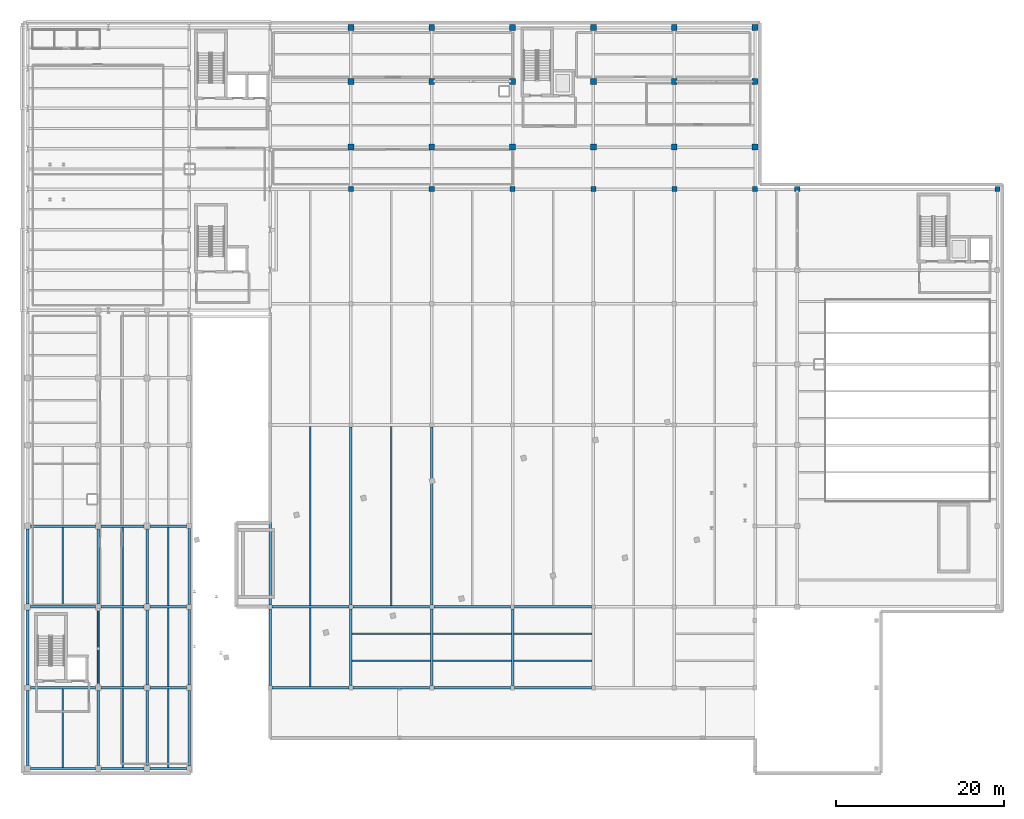
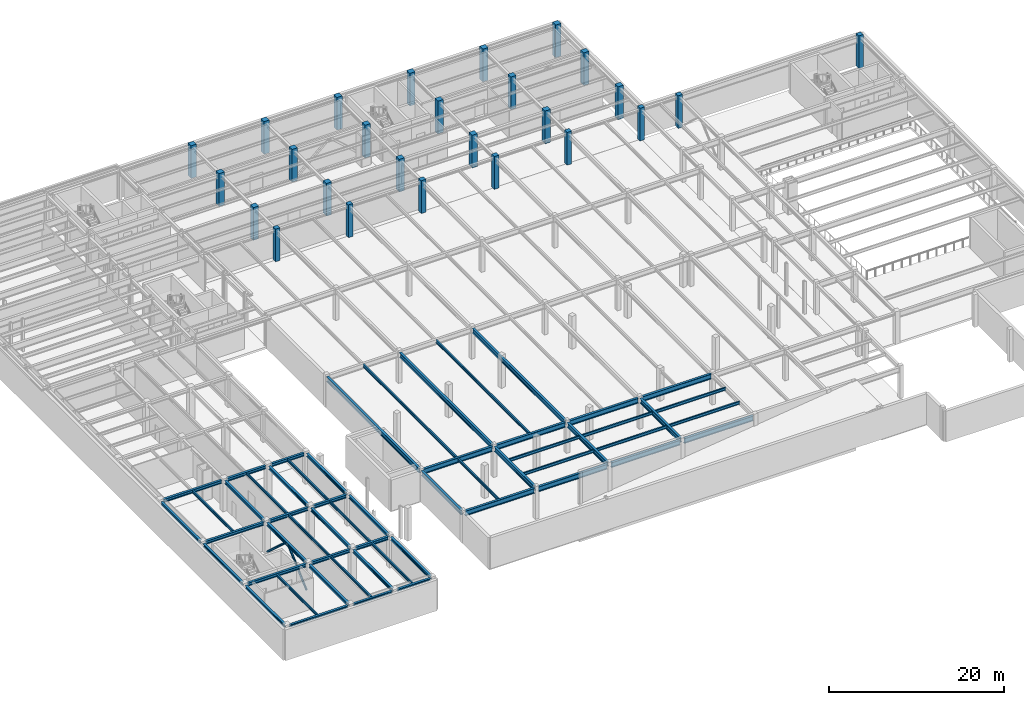
# One storey, part 10 of 32: 56 beams, 26 columns, 2 members.
"""IFC4 building model written with IfcOpenShell, lengths in metres."""

from ifc_helpers import new_model, si_unit, direction, frame, origin, origin_2d, place, context, subcontext, project, spatial, rectangle, hollow_circle, i_section, extrude, material, material_profile, profile_set, type_object, element, save


model = new_model("IFC4")

# Units and contexts
model_context = context("Model", 3, precision=1e-05, world=origin(), true_north=direction((0.0, 1.0)))
body_context = subcontext(model_context, "Body", "Model", "MODEL_VIEW")
ifc_project = project(units=[si_unit("LENGTHUNIT", "METRE"), si_unit("AREAUNIT", "SQUARE_METRE"), si_unit("VOLUMEUNIT", "CUBIC_METRE"), si_unit("PLANEANGLEUNIT", "RADIAN"), si_unit("MASSUNIT", "GRAM", prefix="KILO")], contexts=[model_context])

# Site, building, storey
site_placement = place(None, origin())
site = spatial("IfcSite", under=ifc_project, at=site_placement, CompositionType="ELEMENT")
building_placement = place(site_placement, origin())
building = spatial("IfcBuilding", under=site, at=building_placement, Name="Nordkorset Police Headquarters", CompositionType="ELEMENT")
storey_placement = place(building_placement, frame((0.0, 0.0, -4.550048828125)))
storey = spatial("IfcBuildingStorey", under=building, at=storey_placement, Name="B01", CompositionType="ELEMENT", Elevation=-4.550048828125)

# Columns
ifc_material_1 = material(Name="Concrete C45/55", Category="concrete")
ifc_material_profile_1 = material_profile(ifc_material_1, rectangle(XDim=0.60009765625, YDim=0.60009765625, at=origin_2d()), Name="RC 600x600")
ifc_profile_set_1 = profile_set([ifc_material_profile_1], Name="Concrete C45/55")
column_type_1 = type_object("IfcColumnType", Name="Col_RC_600x600", PredefinedType="COLUMN", material=ifc_profile_set_1)
for number, where, z_axis, x_axis, name in (
    (1, (38.39990234375, 97.60009765625, 0.0), (0.0, 0.0, 1.0), (1.0, 0.0, 0.0), "Structural Column V2_Y0_0 B01"),
    (2, (48.0, 97.60009765625, 0.0), (0.0, 0.0, 1.0), (1.0, 0.0, 0.0), "Structural Column V2_Y0_1 B01"),
    (3, (57.60009765625, 97.60009765625, 0.0), (0.0, 0.0, 1.0), (1.0, 0.0, 0.0), "Structural Column V2_Y0_2 B01"),
    (4, (67.199951171875, 97.60009765625, 0.0), (0.0, 0.0, 1.0), (1.0, 0.0, 0.0), "Structural Column V2_Y0_3 B01"),
    (5, (76.800048828125, 97.60009765625, 0.0), (0.0, 0.0, 1.0), (1.0, 0.0, 0.0), "Structural Column V2_Y0_4 B01"),
    (6, (86.39990234375, 97.60009765625, 0.0), (0.0, 0.0, 1.0), (1.0, 0.0, 0.0), "Structural Column V2_Y0_5 B01"),
    (7, (91.39990234375, 97.60009765625, 0.0), (0.0, 0.0, 1.0), (1.0, 0.0, 0.0), "Structural Column V5_X1_5 B01"),
    (8, (115.199951171875, 97.60009765625, 0.0), (0.0, 0.0, 1.0), (1.0, 0.0, 0.0), "Structural Column V5_X2_5 B01"),
):
    element("IfcColumn", number, at=place(storey_placement, frame(where, z_axis=z_axis, x_axis=x_axis)), inside=storey, type_object=column_type_1, Name=name, PredefinedType="COLUMN", context=body_context, shape_type="SweptSolid", body=[
        extrude(rectangle(XDim=0.60009765625, YDim=0.60009765625, at=origin_2d()), origin(), (0.0, 0.0, 1.0), 4.550048828125),
    ])
ifc_material_2 = material(Name="Concrete C45/55", Category="concrete")
ifc_material_profile_2 = material_profile(ifc_material_2, rectangle(XDim=0.699951171875, YDim=0.699951171875, at=origin_2d()), Name="RC 700x700")
ifc_profile_set_2 = profile_set([ifc_material_profile_2], Name="Concrete C45/55")
column_type_2 = type_object("IfcColumnType", Name="Col_RC_700x700", PredefinedType="COLUMN", material=ifc_profile_set_2)
for number, where, z_axis, x_axis, name in (
    (9, (38.39990234375, 102.60009765625, 0.0), (0.0, 0.0, 1.0), (1.0, 0.0, 0.0), "Structural Column V2_Y1_0 B01"),
    (10, (38.39990234375, 110.39990234375, 0.0), (0.0, 0.0, 1.0), (1.0, 0.0, 0.0), "Structural Column V2_Y2_0 B01"),
    (11, (38.39990234375, 116.800048828125, 0.0), (0.0, 0.0, 1.0), (1.0, 0.0, 0.0), "Structural Column V2_Y3_0 B01"),
    (12, (48.0, 102.60009765625, 0.0), (0.0, 0.0, 1.0), (1.0, 0.0, 0.0), "Structural Column V2_Y1_1 B01"),
    (13, (48.0, 110.39990234375, 0.0), (0.0, 0.0, 1.0), (1.0, 0.0, 0.0), "Structural Column V2_Y2_1 B01"),
    (14, (48.0, 116.800048828125, 0.0), (0.0, 0.0, 1.0), (1.0, 0.0, 0.0), "Structural Column V2_Y3_1 B01"),
    (15, (57.60009765625, 102.60009765625, 0.0), (0.0, 0.0, 1.0), (1.0, 0.0, 0.0), "Structural Column V2_Y1_2 B01"),
    (16, (57.60009765625, 110.39990234375, 0.0), (0.0, 0.0, 1.0), (1.0, 0.0, 0.0), "Structural Column V2_Y2_2 B01"),
    (17, (57.60009765625, 116.800048828125, 0.0), (0.0, 0.0, 1.0), (1.0, 0.0, 0.0), "Structural Column V2_Y3_2 B01"),
    (18, (67.199951171875, 102.60009765625, 0.0), (0.0, 0.0, 1.0), (1.0, 0.0, 0.0), "Structural Column V2_Y1_3 B01"),
    (19, (67.199951171875, 110.39990234375, 0.0), (0.0, 0.0, 1.0), (1.0, 0.0, 0.0), "Structural Column V2_Y2_3 B01"),
    (20, (67.199951171875, 116.800048828125, 0.0), (0.0, 0.0, 1.0), (1.0, 0.0, 0.0), "Structural Column V2_Y3_3 B01"),
    (21, (76.800048828125, 102.60009765625, 0.0), (0.0, 0.0, 1.0), (1.0, 0.0, 0.0), "Structural Column V2_Y1_4 B01"),
    (22, (76.800048828125, 110.39990234375, 0.0), (0.0, 0.0, 1.0), (1.0, 0.0, 0.0), "Structural Column V2_Y2_4 B01"),
    (23, (76.800048828125, 116.800048828125, 0.0), (0.0, 0.0, 1.0), (1.0, 0.0, 0.0), "Structural Column V2_Y3_4 B01"),
    (24, (86.39990234375, 102.60009765625, 0.0), (0.0, 0.0, 1.0), (1.0, 0.0, 0.0), "Structural Column V2_Y1_5 B01"),
    (25, (86.39990234375, 110.39990234375, 0.0), (0.0, 0.0, 1.0), (1.0, 0.0, 0.0), "Structural Column V2_Y2_5 B01"),
    (26, (86.39990234375, 116.800048828125, 0.0), (0.0, 0.0, 1.0), (1.0, 0.0, 0.0), "Structural Column V2_Y3_5 B01"),
):
    element("IfcColumn", number, at=place(storey_placement, frame(where, z_axis=z_axis, x_axis=x_axis)), inside=storey, type_object=column_type_2, Name=name, PredefinedType="COLUMN", context=body_context, shape_type="SweptSolid", body=[
        extrude(rectangle(XDim=0.699951171875, YDim=0.699951171875, at=origin_2d()), origin(), (0.0, 0.0, 1.0), 4.550048828125),
    ])

# Beams
ifc_material_3 = material(Name="Steel S355J2", Category="steel")
ifc_material_profile_3 = material_profile(ifc_material_3, i_section(OverallWidth=0.169921875, OverallDepth=0.360107421875, WebThickness=0.008056640625, FlangeThickness=0.0126953125, FilletRadius=0.01806640625, at=origin_2d()), Name="IPE 360")
ifc_profile_set_3 = profile_set([ifc_material_profile_3], Name="Steel S355J2")
beam_type_1 = type_object("IfcBeamType", Name="Beam_IPE_360", PredefinedType="BEAM", material=ifc_profile_set_3)
for number, where, z_axis, x_axis, name in (
    (27, (4.199951171875, 28.949951171875, 4.10009765625), (0.0, 1.0, 0.0), (-1.0, 0.0, 0.0), "Composite Floor Beam V3 B01 0-0-1"),
    (28, (4.199951171875, 48.14990234375, 4.10009765625), (0.0, 1.0, 0.0), (-1.0, 0.0, 0.0), "Composite Floor Beam V3 B01 0-2-1"),
    (29, (11.300048828125, 28.949951171875, 4.10009765625), (0.0, 1.0, 0.0), (-1.0, 0.0, 0.0), "Composite Floor Beam V3 B01 1-0-1"),
    (30, (11.300048828125, 38.550048828125, 4.10009765625), (0.0, 1.0, 0.0), (-1.0, 0.0, 0.0), "Composite Floor Beam V3 B01 1-1-1"),
    (31, (11.300048828125, 48.14990234375, 4.10009765625), (0.0, 1.0, 0.0), (-1.0, 0.0, 0.0), "Composite Floor Beam V3 B01 1-2-1"),
    (32, (16.699951171875, 28.949951171875, 4.10009765625), (0.0, 1.0, 0.0), (-1.0, 0.0, 0.0), "Composite Floor Beam V3 B01 2-0-1"),
    (33, (16.699951171875, 38.550048828125, 4.10009765625), (0.0, 1.0, 0.0), (-1.0, 0.0, 0.0), "Composite Floor Beam V3 B01 2-1-1"),
    (34, (16.699951171875, 48.14990234375, 4.10009765625), (0.0, 1.0, 0.0), (-1.0, 0.0, 0.0), "Composite Floor Beam V3 B01 2-2-1"),
):
    element("IfcBeam", number, at=place(storey_placement, frame(where, z_axis=z_axis, x_axis=x_axis)), inside=storey, type_object=beam_type_1, Name=name, PredefinedType="BEAM", context=body_context, shape_type="SweptSolid", body=[
        extrude(i_section(OverallWidth=0.169921875, OverallDepth=0.360107421875, WebThickness=0.008056640625, FlangeThickness=0.0126953125, FilletRadius=0.01806640625, at=origin_2d()), origin(), (0.0, 0.0, 1.0), 9.300048828125),
    ])
ifc_material_4 = material(Name="Steel S355J2", Category="steel")
ifc_material_profile_4 = material_profile(ifc_material_4, i_section(OverallWidth=0.179931640625, OverallDepth=0.39990234375, WebThickness=0.008544921875, FlangeThickness=0.013427734375, FilletRadius=0.02099609375, at=origin_2d()), Name="IPE 400")
ifc_profile_set_4 = profile_set([ifc_material_profile_4], Name="Steel S355J2")
beam_type_2 = type_object("IfcBeamType", Name="Beam_IPE_400", PredefinedType="BEAM", material=ifc_profile_set_4)
beam_1_placement = place(storey_placement, frame((33.60009765625, 38.550048828125, 4.080078125), z_axis=(0.0, 1.0, 0.0), x_axis=(-1.0, 0.0, 0.0)))
element("IfcBeam", 35, at=beam_1_placement, inside=storey, type_object=beam_type_2, Name="Composite Floor Beam SUB B01 0-0-1", PredefinedType="BEAM", context=body_context, shape_type="SweptSolid", body=[
    extrude(i_section(OverallWidth=0.179931640625, OverallDepth=0.39990234375, WebThickness=0.008544921875, FlangeThickness=0.013427734375, FilletRadius=0.02099609375, at=origin_2d()), origin(), (0.0, 0.0, 1.0), 9.300048828125),
])
beam_2_placement = place(storey_placement, frame((33.60009765625, 48.14990234375, 4.080078125), z_axis=(0.0, 1.0, 0.0), x_axis=(-1.0, 0.0, 0.0)))
element("IfcBeam", 36, at=beam_2_placement, inside=storey, type_object=beam_type_2, Name="Composite Floor Beam SUB B01 0-1-1", PredefinedType="BEAM", context=body_context, shape_type="SweptSolid", body=[
    extrude(i_section(OverallWidth=0.179931640625, OverallDepth=0.39990234375, WebThickness=0.008544921875, FlangeThickness=0.013427734375, FilletRadius=0.02099609375, at=origin_2d()), origin(), (0.0, 0.0, 1.0), 21.300048828125),
])
for number, where, z_axis, x_axis, name in (
    (37, (38.550048828125, 41.60009765625, 4.080078125), (1.0, 0.0, 0.0), (0.0, 1.0, 0.0), "Composite Floor Beam SUB B01 1-0-1"),
    (38, (38.550048828125, 44.800048828125, 4.080078125), (1.0, 0.0, 0.0), (0.0, 1.0, 0.0), "Composite Floor Beam SUB B01 1-0-2"),
):
    element("IfcBeam", number, at=place(storey_placement, frame(where, z_axis=z_axis, x_axis=x_axis)), inside=storey, type_object=beam_type_2, Name=name, PredefinedType="BEAM", context=body_context, shape_type="SweptSolid", body=[
        extrude(i_section(OverallWidth=0.179931640625, OverallDepth=0.39990234375, WebThickness=0.008544921875, FlangeThickness=0.013427734375, FilletRadius=0.02099609375, at=origin_2d()), origin(), (0.0, 0.0, 1.0), 9.300048828125),
    ])
beam_3_placement = place(storey_placement, frame((43.199951171875, 48.14990234375, 4.080078125), z_axis=(0.0, 1.0, 0.0), x_axis=(-1.0, 0.0, 0.0)))
element("IfcBeam", 39, at=beam_3_placement, inside=storey, type_object=beam_type_2, Name="Composite Floor Beam SUB B01 1-1-1", PredefinedType="BEAM", context=body_context, shape_type="SweptSolid", body=[
    extrude(i_section(OverallWidth=0.179931640625, OverallDepth=0.39990234375, WebThickness=0.008544921875, FlangeThickness=0.013427734375, FilletRadius=0.02099609375, at=origin_2d()), origin(), (0.0, 0.0, 1.0), 21.300048828125),
])
for number, where, z_axis, x_axis, name in (
    (40, (48.14990234375, 41.60009765625, 4.080078125), (1.0, 0.0, 0.0), (0.0, 1.0, 0.0), "Composite Floor Beam SUB B01 2-0-1"),
    (41, (48.14990234375, 44.800048828125, 4.080078125), (1.0, 0.0, 0.0), (0.0, 1.0, 0.0), "Composite Floor Beam SUB B01 2-0-2"),
    (42, (57.75, 41.60009765625, 4.080078125), (1.0, 0.0, 0.0), (0.0, 1.0, 0.0), "Composite Floor Beam SUB B01 3-0-1"),
    (43, (57.75, 44.800048828125, 4.080078125), (1.0, 0.0, 0.0), (0.0, 1.0, 0.0), "Composite Floor Beam SUB B01 3-0-2"),
):
    element("IfcBeam", number, at=place(storey_placement, frame(where, z_axis=z_axis, x_axis=x_axis)), inside=storey, type_object=beam_type_2, Name=name, PredefinedType="BEAM", context=body_context, shape_type="SweptSolid", body=[
        extrude(i_section(OverallWidth=0.179931640625, OverallDepth=0.39990234375, WebThickness=0.008544921875, FlangeThickness=0.013427734375, FilletRadius=0.02099609375, at=origin_2d()), origin(), (0.0, 0.0, 1.0), 9.300048828125),
    ])

# Members
ifc_material_5 = material(Name="Steel S355J2", Category="steel")
ifc_material_profile_5 = material_profile(ifc_material_5, hollow_circle(Radius=0.136474609375, WallThickness=0.012451171875, at=origin_2d()), Name="CHS 273x12.5")
ifc_profile_set_5 = profile_set([ifc_material_profile_5], Name="Steel S355J2")
member_type = type_object("IfcMemberType", Name="Brace_CHS_273x12.5", PredefinedType="BRACE", material=ifc_profile_set_5)
for number, where, z_axis, x_axis, name in (
    (44, (8.39990234375, 38.75, 0.199951171875), (0.0, 0.741816057478, 0.670603412509), (-1.0, 0.0, 0.0), "Lateral Chevron Brace BF-V3-A B01 D1"),
    (45, (8.39990234375, 47.64990234375, 0.199951171875), (0.0, -0.741816057478, 0.670603412509), (1.0, 0.0, 0.0), "Lateral Chevron Brace BF-V3-A B01 D2"),
):
    element("IfcMember", number, at=place(storey_placement, frame(where, z_axis=z_axis, x_axis=x_axis)), inside=storey, type_object=member_type, Name=name, PredefinedType="BRACE", context=body_context, shape_type="SweptSolid", body=[
        extrude(hollow_circle(Radius=0.136474609375, WallThickness=0.012451171875, at=origin_2d()), origin(), (0.0, 0.0, 1.0), 5.756103515625),
    ])

# Beams
ifc_material_6 = material(Name="Steel S355J2", Category="steel")
ifc_material_profile_6 = material_profile(ifc_material_6, i_section(OverallWidth=0.300048828125, OverallDepth=0.43994140625, WebThickness=0.011474609375, FlangeThickness=0.02099609375, FilletRadius=0.027099609375, at=origin_2d()), Name="HEA 450")
ifc_profile_set_6 = profile_set([ifc_material_profile_6], Name="Steel S355J2")
beam_type_3 = type_object("IfcBeamType", Name="Girder_HEA_450", PredefinedType="USERDEFINED", material=ifc_profile_set_6)
beam_4_placement = place(storey_placement, frame((0.35009765625, 38.39990234375, 4.06005859375), z_axis=(1.0, 0.0, 0.0), x_axis=(0.0, 1.0, 0.0)))
element("IfcBeam", 46, at=beam_4_placement, inside=storey, type_object=beam_type_3, Name="Girder V3 B01 GX-1-0", ObjectType="GIRDER", PredefinedType="USERDEFINED", context=body_context, shape_type="SweptSolid", body=[
    extrude(i_section(OverallWidth=0.300048828125, OverallDepth=0.43994140625, WebThickness=0.011474609375, FlangeThickness=0.02099609375, FilletRadius=0.027099609375, at=origin_2d()), origin(), (0.0, 0.0, 1.0), 7.699951171875),
])
beam_5_placement = place(storey_placement, frame((8.75, 38.39990234375, 4.06005859375), z_axis=(1.0, 0.0, 0.0), x_axis=(0.0, 1.0, 0.0)))
element("IfcBeam", 47, at=beam_5_placement, inside=storey, type_object=beam_type_3, Name="Girder V3 B01 GX-1-1", ObjectType="GIRDER", PredefinedType="USERDEFINED", context=body_context, shape_type="SweptSolid", body=[
    extrude(i_section(OverallWidth=0.300048828125, OverallDepth=0.43994140625, WebThickness=0.011474609375, FlangeThickness=0.02099609375, FilletRadius=0.027099609375, at=origin_2d()), origin(), (0.0, 0.0, 1.0), 5.10009765625),
])
beam_6_placement = place(storey_placement, frame((14.550048828125, 38.39990234375, 4.06005859375), z_axis=(1.0, 0.0, 0.0), x_axis=(0.0, 1.0, 0.0)))
element("IfcBeam", 48, at=beam_6_placement, inside=storey, type_object=beam_type_3, Name="Girder V3 B01 GX-1-2", ObjectType="GIRDER", PredefinedType="USERDEFINED", context=body_context, shape_type="SweptSolid", body=[
    extrude(i_section(OverallWidth=0.300048828125, OverallDepth=0.43994140625, WebThickness=0.011474609375, FlangeThickness=0.02099609375, FilletRadius=0.027099609375, at=origin_2d()), origin(), (0.0, 0.0, 1.0), 4.349853515625),
])
beam_7_placement = place(storey_placement, frame((0.35009765625, 48.0, 4.06005859375), z_axis=(1.0, 0.0, 0.0), x_axis=(0.0, 1.0, 0.0)))
element("IfcBeam", 49, at=beam_7_placement, inside=storey, type_object=beam_type_3, Name="Girder V3 B01 GX-2-0", ObjectType="GIRDER", PredefinedType="USERDEFINED", context=body_context, shape_type="SweptSolid", body=[
    extrude(i_section(OverallWidth=0.300048828125, OverallDepth=0.43994140625, WebThickness=0.011474609375, FlangeThickness=0.02099609375, FilletRadius=0.027099609375, at=origin_2d()), origin(), (0.0, 0.0, 1.0), 7.699951171875),
])
beam_8_placement = place(storey_placement, frame((8.75, 48.0, 4.06005859375), z_axis=(1.0, 0.0, 0.0), x_axis=(0.0, 1.0, 0.0)))
element("IfcBeam", 50, at=beam_8_placement, inside=storey, type_object=beam_type_3, Name="Girder V3 B01 GX-2-1", ObjectType="GIRDER", PredefinedType="USERDEFINED", context=body_context, shape_type="SweptSolid", body=[
    extrude(i_section(OverallWidth=0.300048828125, OverallDepth=0.43994140625, WebThickness=0.011474609375, FlangeThickness=0.02099609375, FilletRadius=0.027099609375, at=origin_2d()), origin(), (0.0, 0.0, 1.0), 5.10009765625),
])
beam_9_placement = place(storey_placement, frame((14.550048828125, 48.0, 4.06005859375), z_axis=(1.0, 0.0, 0.0), x_axis=(0.0, 1.0, 0.0)))
element("IfcBeam", 51, at=beam_9_placement, inside=storey, type_object=beam_type_3, Name="Girder V3 B01 GX-2-2", ObjectType="GIRDER", PredefinedType="USERDEFINED", context=body_context, shape_type="SweptSolid", body=[
    extrude(i_section(OverallWidth=0.300048828125, OverallDepth=0.43994140625, WebThickness=0.011474609375, FlangeThickness=0.02099609375, FilletRadius=0.027099609375, at=origin_2d()), origin(), (0.0, 0.0, 1.0), 4.349853515625),
])
beam_10_placement = place(storey_placement, frame((0.35009765625, 57.60009765625, 4.06005859375), z_axis=(1.0, 0.0, 0.0), x_axis=(0.0, 1.0, 0.0)))
element("IfcBeam", 52, at=beam_10_placement, inside=storey, type_object=beam_type_3, Name="Girder V3 B01 GX-3-0", ObjectType="GIRDER", PredefinedType="USERDEFINED", context=body_context, shape_type="SweptSolid", body=[
    extrude(i_section(OverallWidth=0.300048828125, OverallDepth=0.43994140625, WebThickness=0.011474609375, FlangeThickness=0.02099609375, FilletRadius=0.027099609375, at=origin_2d()), origin(), (0.0, 0.0, 1.0), 7.699951171875),
])
beam_11_placement = place(storey_placement, frame((8.75, 57.60009765625, 4.06005859375), z_axis=(1.0, 0.0, 0.0), x_axis=(0.0, 1.0, 0.0)))
element("IfcBeam", 53, at=beam_11_placement, inside=storey, type_object=beam_type_3, Name="Girder V3 B01 GX-3-1", ObjectType="GIRDER", PredefinedType="USERDEFINED", context=body_context, shape_type="SweptSolid", body=[
    extrude(i_section(OverallWidth=0.300048828125, OverallDepth=0.43994140625, WebThickness=0.011474609375, FlangeThickness=0.02099609375, FilletRadius=0.027099609375, at=origin_2d()), origin(), (0.0, 0.0, 1.0), 5.10009765625),
])
beam_12_placement = place(storey_placement, frame((14.550048828125, 57.60009765625, 4.06005859375), z_axis=(1.0, 0.0, 0.0), x_axis=(0.0, 1.0, 0.0)))
element("IfcBeam", 54, at=beam_12_placement, inside=storey, type_object=beam_type_3, Name="Girder V3 B01 GX-3-2", ObjectType="GIRDER", PredefinedType="USERDEFINED", context=body_context, shape_type="SweptSolid", body=[
    extrude(i_section(OverallWidth=0.300048828125, OverallDepth=0.43994140625, WebThickness=0.011474609375, FlangeThickness=0.02099609375, FilletRadius=0.027099609375, at=origin_2d()), origin(), (0.0, 0.0, 1.0), 4.349853515625),
])
beam_13_placement = place(storey_placement, frame((0.0, 29.14990234375, 4.06005859375), z_axis=(0.0, 1.0, 0.0), x_axis=(-1.0, 0.0, 0.0)))
element("IfcBeam", 55, at=beam_13_placement, inside=storey, type_object=beam_type_3, Name="Girder V3 B01 GY-0-0", ObjectType="GIRDER", PredefinedType="USERDEFINED", context=body_context, shape_type="SweptSolid", body=[
    extrude(i_section(OverallWidth=0.300048828125, OverallDepth=0.43994140625, WebThickness=0.011474609375, FlangeThickness=0.02099609375, FilletRadius=0.027099609375, at=origin_2d()), origin(), (0.0, 0.0, 1.0), 8.900146484375),
])
for number, where, z_axis, x_axis, name in (
    (56, (0.0, 38.75, 4.06005859375), (0.0, 1.0, 0.0), (-1.0, 0.0, 0.0), "Girder V3 B01 GY-0-1"),
    (57, (0.0, 48.35009765625, 4.06005859375), (0.0, 1.0, 0.0), (-1.0, 0.0, 0.0), "Girder V3 B01 GY-0-2"),
):
    element("IfcBeam", number, at=place(storey_placement, frame(where, z_axis=z_axis, x_axis=x_axis)), inside=storey, type_object=beam_type_3, Name=name, ObjectType="GIRDER", PredefinedType="USERDEFINED", context=body_context, shape_type="SweptSolid", body=[
        extrude(i_section(OverallWidth=0.300048828125, OverallDepth=0.43994140625, WebThickness=0.011474609375, FlangeThickness=0.02099609375, FilletRadius=0.027099609375, at=origin_2d()), origin(), (0.0, 0.0, 1.0), 8.89990234375),
    ])
beam_14_placement = place(storey_placement, frame((8.39990234375, 29.14990234375, 4.06005859375), z_axis=(0.0, 1.0, 0.0), x_axis=(-1.0, 0.0, 0.0)))
element("IfcBeam", 58, at=beam_14_placement, inside=storey, type_object=beam_type_3, Name="Girder V3 B01 GY-1-0", ObjectType="GIRDER", PredefinedType="USERDEFINED", context=body_context, shape_type="SweptSolid", body=[
    extrude(i_section(OverallWidth=0.300048828125, OverallDepth=0.43994140625, WebThickness=0.011474609375, FlangeThickness=0.02099609375, FilletRadius=0.027099609375, at=origin_2d()), origin(), (0.0, 0.0, 1.0), 8.900146484375),
])
for number, where, z_axis, x_axis, name in (
    (59, (8.39990234375, 38.75, 4.06005859375), (0.0, 1.0, 0.0), (-1.0, 0.0, 0.0), "Girder V3 B01 GY-1-1"),
    (60, (8.39990234375, 48.35009765625, 4.06005859375), (0.0, 1.0, 0.0), (-1.0, 0.0, 0.0), "Girder V3 B01 GY-1-2"),
):
    element("IfcBeam", number, at=place(storey_placement, frame(where, z_axis=z_axis, x_axis=x_axis)), inside=storey, type_object=beam_type_3, Name=name, ObjectType="GIRDER", PredefinedType="USERDEFINED", context=body_context, shape_type="SweptSolid", body=[
        extrude(i_section(OverallWidth=0.300048828125, OverallDepth=0.43994140625, WebThickness=0.011474609375, FlangeThickness=0.02099609375, FilletRadius=0.027099609375, at=origin_2d()), origin(), (0.0, 0.0, 1.0), 8.89990234375),
    ])
beam_15_placement = place(storey_placement, frame((14.199951171875, 29.14990234375, 4.06005859375), z_axis=(0.0, 1.0, 0.0), x_axis=(-1.0, 0.0, 0.0)))
element("IfcBeam", 61, at=beam_15_placement, inside=storey, type_object=beam_type_3, Name="Girder V3 B01 GY-2-0", ObjectType="GIRDER", PredefinedType="USERDEFINED", context=body_context, shape_type="SweptSolid", body=[
    extrude(i_section(OverallWidth=0.300048828125, OverallDepth=0.43994140625, WebThickness=0.011474609375, FlangeThickness=0.02099609375, FilletRadius=0.027099609375, at=origin_2d()), origin(), (0.0, 0.0, 1.0), 8.900146484375),
])
for number, where, z_axis, x_axis, name in (
    (62, (14.199951171875, 38.75, 4.06005859375), (0.0, 1.0, 0.0), (-1.0, 0.0, 0.0), "Girder V3 B01 GY-2-1"),
    (63, (14.199951171875, 48.35009765625, 4.06005859375), (0.0, 1.0, 0.0), (-1.0, 0.0, 0.0), "Girder V3 B01 GY-2-2"),
):
    element("IfcBeam", number, at=place(storey_placement, frame(where, z_axis=z_axis, x_axis=x_axis)), inside=storey, type_object=beam_type_3, Name=name, ObjectType="GIRDER", PredefinedType="USERDEFINED", context=body_context, shape_type="SweptSolid", body=[
        extrude(i_section(OverallWidth=0.300048828125, OverallDepth=0.43994140625, WebThickness=0.011474609375, FlangeThickness=0.02099609375, FilletRadius=0.027099609375, at=origin_2d()), origin(), (0.0, 0.0, 1.0), 8.89990234375),
    ])
for number, where, z_axis, x_axis, name in (
    (64, (19.199951171875, 29.10009765625, 4.06005859375), (0.0, 1.0, 0.0), (-1.0, 0.0, 0.0), "Girder V3 B01 GY-3-0"),
    (65, (19.199951171875, 38.699951171875, 4.06005859375), (0.0, 1.0, 0.0), (-1.0, 0.0, 0.0), "Girder V3 B01 GY-3-1"),
    (66, (19.199951171875, 48.300048828125, 4.06005859375), (0.0, 1.0, 0.0), (-1.0, 0.0, 0.0), "Girder V3 B01 GY-3-2"),
):
    element("IfcBeam", number, at=place(storey_placement, frame(where, z_axis=z_axis, x_axis=x_axis)), inside=storey, type_object=beam_type_3, Name=name, ObjectType="GIRDER", PredefinedType="USERDEFINED", context=body_context, shape_type="SweptSolid", body=[
        extrude(i_section(OverallWidth=0.300048828125, OverallDepth=0.43994140625, WebThickness=0.011474609375, FlangeThickness=0.02099609375, FilletRadius=0.027099609375, at=origin_2d()), origin(), (0.0, 0.0, 1.0), 9.0),
    ])
ifc_material_7 = material(Name="Steel S355J2", Category="steel")
ifc_material_profile_7 = material_profile(ifc_material_7, i_section(OverallWidth=0.300048828125, OverallDepth=0.64990234375, WebThickness=0.01611328125, FlangeThickness=0.031005859375, FilletRadius=0.027099609375, at=origin_2d()), Name="HEB 650")
ifc_profile_set_7 = profile_set([ifc_material_profile_7], Name="Steel S355J2")
beam_type_4 = type_object("IfcBeamType", Name="Girder_HEB_650", PredefinedType="USERDEFINED", material=ifc_profile_set_7)
beam_16_placement = place(storey_placement, frame((28.800048828125, 38.64990234375, 3.955078125), z_axis=(0.0, 1.0, 0.0), x_axis=(-1.0, 0.0, 0.0)))
element("IfcBeam", 67, at=beam_16_placement, inside=storey, type_object=beam_type_4, Name="Girder SUB B01 GY-0-0", ObjectType="GIRDER", PredefinedType="USERDEFINED", context=body_context, shape_type="SweptSolid", body=[
    extrude(i_section(OverallWidth=0.300048828125, OverallDepth=0.64990234375, WebThickness=0.01611328125, FlangeThickness=0.031005859375, FilletRadius=0.027099609375, at=origin_2d()), origin(), (0.0, 0.0, 1.0), 9.10009765625),
])
beam_17_placement = place(storey_placement, frame((28.800048828125, 48.25, 3.955078125), z_axis=(0.0, 1.0, 0.0), x_axis=(-1.0, 0.0, 0.0)))
element("IfcBeam", 68, at=beam_17_placement, inside=storey, type_object=beam_type_4, Name="Girder SUB B01 GY-0-1", ObjectType="GIRDER", PredefinedType="USERDEFINED", context=body_context, shape_type="SweptSolid", body=[
    extrude(i_section(OverallWidth=0.300048828125, OverallDepth=0.64990234375, WebThickness=0.01611328125, FlangeThickness=0.031005859375, FilletRadius=0.027099609375, at=origin_2d()), origin(), (0.0, 0.0, 1.0), 21.10009765625),
])
beam_18_placement = place(storey_placement, frame((38.39990234375, 38.64990234375, 3.955078125), z_axis=(0.0, 1.0, 0.0), x_axis=(-1.0, 0.0, 0.0)))
element("IfcBeam", 69, at=beam_18_placement, inside=storey, type_object=beam_type_4, Name="Girder SUB B01 GY-1-0", ObjectType="GIRDER", PredefinedType="USERDEFINED", context=body_context, shape_type="SweptSolid", body=[
    extrude(i_section(OverallWidth=0.300048828125, OverallDepth=0.64990234375, WebThickness=0.01611328125, FlangeThickness=0.031005859375, FilletRadius=0.027099609375, at=origin_2d()), origin(), (0.0, 0.0, 1.0), 9.10009765625),
])
beam_19_placement = place(storey_placement, frame((38.39990234375, 48.25, 3.955078125), z_axis=(0.0, 1.0, 0.0), x_axis=(-1.0, 0.0, 0.0)))
element("IfcBeam", 70, at=beam_19_placement, inside=storey, type_object=beam_type_4, Name="Girder SUB B01 GY-1-1", ObjectType="GIRDER", PredefinedType="USERDEFINED", context=body_context, shape_type="SweptSolid", body=[
    extrude(i_section(OverallWidth=0.300048828125, OverallDepth=0.64990234375, WebThickness=0.01611328125, FlangeThickness=0.031005859375, FilletRadius=0.027099609375, at=origin_2d()), origin(), (0.0, 0.0, 1.0), 21.10009765625),
])
beam_20_placement = place(storey_placement, frame((48.0, 38.64990234375, 3.955078125), z_axis=(0.0, 1.0, 0.0), x_axis=(-1.0, 0.0, 0.0)))
element("IfcBeam", 71, at=beam_20_placement, inside=storey, type_object=beam_type_4, Name="Girder SUB B01 GY-2-0", ObjectType="GIRDER", PredefinedType="USERDEFINED", context=body_context, shape_type="SweptSolid", body=[
    extrude(i_section(OverallWidth=0.300048828125, OverallDepth=0.64990234375, WebThickness=0.01611328125, FlangeThickness=0.031005859375, FilletRadius=0.027099609375, at=origin_2d()), origin(), (0.0, 0.0, 1.0), 9.10009765625),
])
beam_21_placement = place(storey_placement, frame((48.0, 48.25, 3.955078125), z_axis=(0.0, 1.0, 0.0), x_axis=(-1.0, 0.0, 0.0)))
element("IfcBeam", 72, at=beam_21_placement, inside=storey, type_object=beam_type_4, Name="Girder SUB B01 GY-2-1", ObjectType="GIRDER", PredefinedType="USERDEFINED", context=body_context, shape_type="SweptSolid", body=[
    extrude(i_section(OverallWidth=0.300048828125, OverallDepth=0.64990234375, WebThickness=0.01611328125, FlangeThickness=0.031005859375, FilletRadius=0.027099609375, at=origin_2d()), origin(), (0.0, 0.0, 1.0), 21.10009765625),
])
beam_22_placement = place(storey_placement, frame((57.60009765625, 38.64990234375, 3.955078125), z_axis=(0.0, 1.0, 0.0), x_axis=(-1.0, 0.0, 0.0)))
element("IfcBeam", 73, at=beam_22_placement, inside=storey, type_object=beam_type_4, Name="Girder SUB B01 GY-3-0", ObjectType="GIRDER", PredefinedType="USERDEFINED", context=body_context, shape_type="SweptSolid", body=[
    extrude(i_section(OverallWidth=0.300048828125, OverallDepth=0.64990234375, WebThickness=0.01611328125, FlangeThickness=0.031005859375, FilletRadius=0.027099609375, at=origin_2d()), origin(), (0.0, 0.0, 1.0), 9.10009765625),
])
ifc_material_8 = material(Name="Steel S355J2", Category="steel")
ifc_material_profile_8 = material_profile(ifc_material_8, i_section(OverallWidth=0.300048828125, OverallDepth=0.699951171875, WebThickness=0.01708984375, FlangeThickness=0.031982421875, FilletRadius=0.027099609375, at=origin_2d()), Name="HEB 700")
ifc_profile_set_8 = profile_set([ifc_material_profile_8], Name="Steel S355J2")
beam_type_5 = type_object("IfcBeamType", Name="Girder_HEB_700", PredefinedType="USERDEFINED", material=ifc_profile_set_8)
beam_23_placement = place(storey_placement, frame((29.050048828125, 38.39990234375, 3.929931640625), z_axis=(1.0, 0.0, 0.0), x_axis=(0.0, 1.0, 0.0)))
element("IfcBeam", 74, at=beam_23_placement, inside=storey, type_object=beam_type_5, Name="Girder SUB B01 GX-0-0", ObjectType="GIRDER", PredefinedType="USERDEFINED", context=body_context, shape_type="SweptSolid", body=[
    extrude(i_section(OverallWidth=0.300048828125, OverallDepth=0.699951171875, WebThickness=0.01708984375, FlangeThickness=0.031982421875, FilletRadius=0.027099609375, at=origin_2d()), origin(), (0.0, 0.0, 1.0), 9.099853515625),
])
for number, where, z_axis, x_axis, name in (
    (75, (38.64990234375, 38.39990234375, 3.929931640625), (1.0, 0.0, 0.0), (0.0, 1.0, 0.0), "Girder SUB B01 GX-0-1"),
    (76, (48.25, 38.39990234375, 3.929931640625), (1.0, 0.0, 0.0), (0.0, 1.0, 0.0), "Girder SUB B01 GX-0-2"),
):
    element("IfcBeam", number, at=place(storey_placement, frame(where, z_axis=z_axis, x_axis=x_axis)), inside=storey, type_object=beam_type_5, Name=name, ObjectType="GIRDER", PredefinedType="USERDEFINED", context=body_context, shape_type="SweptSolid", body=[
        extrude(i_section(OverallWidth=0.300048828125, OverallDepth=0.699951171875, WebThickness=0.01708984375, FlangeThickness=0.031982421875, FilletRadius=0.027099609375, at=origin_2d()), origin(), (0.0, 0.0, 1.0), 9.10009765625),
    ])
for number, where, z_axis, x_axis, name in (
    (77, (57.85009765625, 38.39990234375, 3.929931640625), (1.0, 0.0, 0.0), (0.0, 1.0, 0.0), "Girder SUB B01 GX-0-3"),
    (78, (29.050048828125, 48.0, 3.929931640625), (1.0, 0.0, 0.0), (0.0, 1.0, 0.0), "Girder SUB B01 GX-1-0"),
):
    element("IfcBeam", number, at=place(storey_placement, frame(where, z_axis=z_axis, x_axis=x_axis)), inside=storey, type_object=beam_type_5, Name=name, ObjectType="GIRDER", PredefinedType="USERDEFINED", context=body_context, shape_type="SweptSolid", body=[
        extrude(i_section(OverallWidth=0.300048828125, OverallDepth=0.699951171875, WebThickness=0.01708984375, FlangeThickness=0.031982421875, FilletRadius=0.027099609375, at=origin_2d()), origin(), (0.0, 0.0, 1.0), 9.099853515625),
    ])
for number, where, z_axis, x_axis, name in (
    (79, (38.64990234375, 48.0, 3.929931640625), (1.0, 0.0, 0.0), (0.0, 1.0, 0.0), "Girder SUB B01 GX-1-1"),
    (80, (48.25, 48.0, 3.929931640625), (1.0, 0.0, 0.0), (0.0, 1.0, 0.0), "Girder SUB B01 GX-1-2"),
):
    element("IfcBeam", number, at=place(storey_placement, frame(where, z_axis=z_axis, x_axis=x_axis)), inside=storey, type_object=beam_type_5, Name=name, ObjectType="GIRDER", PredefinedType="USERDEFINED", context=body_context, shape_type="SweptSolid", body=[
        extrude(i_section(OverallWidth=0.300048828125, OverallDepth=0.699951171875, WebThickness=0.01708984375, FlangeThickness=0.031982421875, FilletRadius=0.027099609375, at=origin_2d()), origin(), (0.0, 0.0, 1.0), 9.10009765625),
    ])
beam_24_placement = place(storey_placement, frame((57.85009765625, 48.0, 3.929931640625), z_axis=(1.0, 0.0, 0.0), x_axis=(0.0, 1.0, 0.0)))
element("IfcBeam", 81, at=beam_24_placement, inside=storey, type_object=beam_type_5, Name="Girder SUB B01 GX-1-3", ObjectType="GIRDER", PredefinedType="USERDEFINED", context=body_context, shape_type="SweptSolid", body=[
    extrude(i_section(OverallWidth=0.300048828125, OverallDepth=0.699951171875, WebThickness=0.01708984375, FlangeThickness=0.031982421875, FilletRadius=0.027099609375, at=origin_2d()), origin(), (0.0, 0.0, 1.0), 9.099853515625),
])
ifc_material_9 = material(Name="Steel S355J2", Category="steel")
ifc_material_profile_9 = material_profile(ifc_material_9, i_section(OverallWidth=0.300048828125, OverallDepth=0.31005859375, WebThickness=0.009033203125, FlangeThickness=0.015380859375, FilletRadius=0.027099609375, at=origin_2d()), Name="HEA 320")
ifc_profile_set_9 = profile_set([ifc_material_profile_9], Name="Steel S355J2")
beam_type_6 = type_object("IfcBeamType", Name="Spandrel_HEA_320", PredefinedType="SPANDREL", material=ifc_profile_set_9)
beam_25_placement = place(storey_placement, frame((0.35009765625, 28.800048828125, 4.125), z_axis=(1.0, 0.0, 0.0), x_axis=(0.0, 1.0, 0.0)))
element("IfcBeam", 82, at=beam_25_placement, inside=storey, type_object=beam_type_6, Name="Girder V3 B01 GX-0-0", PredefinedType="SPANDREL", context=body_context, shape_type="SweptSolid", body=[
    extrude(i_section(OverallWidth=0.300048828125, OverallDepth=0.31005859375, WebThickness=0.009033203125, FlangeThickness=0.015380859375, FilletRadius=0.027099609375, at=origin_2d()), origin(), (0.0, 0.0, 1.0), 7.699951171875),
])
beam_26_placement = place(storey_placement, frame((8.75, 28.800048828125, 4.125), z_axis=(1.0, 0.0, 0.0), x_axis=(0.0, 1.0, 0.0)))
element("IfcBeam", 83, at=beam_26_placement, inside=storey, type_object=beam_type_6, Name="Girder V3 B01 GX-0-1", PredefinedType="SPANDREL", context=body_context, shape_type="SweptSolid", body=[
    extrude(i_section(OverallWidth=0.300048828125, OverallDepth=0.31005859375, WebThickness=0.009033203125, FlangeThickness=0.015380859375, FilletRadius=0.027099609375, at=origin_2d()), origin(), (0.0, 0.0, 1.0), 5.10009765625),
])
beam_27_placement = place(storey_placement, frame((14.550048828125, 28.800048828125, 4.125), z_axis=(1.0, 0.0, 0.0), x_axis=(0.0, 1.0, 0.0)))
element("IfcBeam", 84, at=beam_27_placement, inside=storey, type_object=beam_type_6, Name="Girder V3 B01 GX-0-2", PredefinedType="SPANDREL", context=body_context, shape_type="SweptSolid", body=[
    extrude(i_section(OverallWidth=0.300048828125, OverallDepth=0.31005859375, WebThickness=0.009033203125, FlangeThickness=0.015380859375, FilletRadius=0.027099609375, at=origin_2d()), origin(), (0.0, 0.0, 1.0), 4.349853515625),
])

save(model, "model.ifc")
